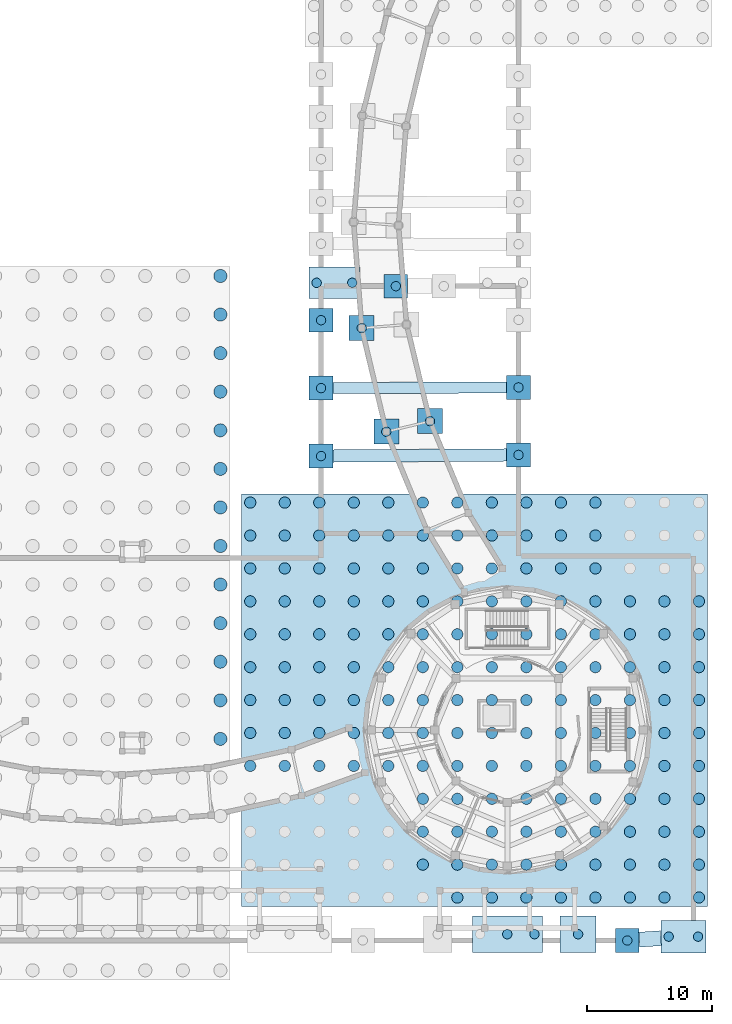
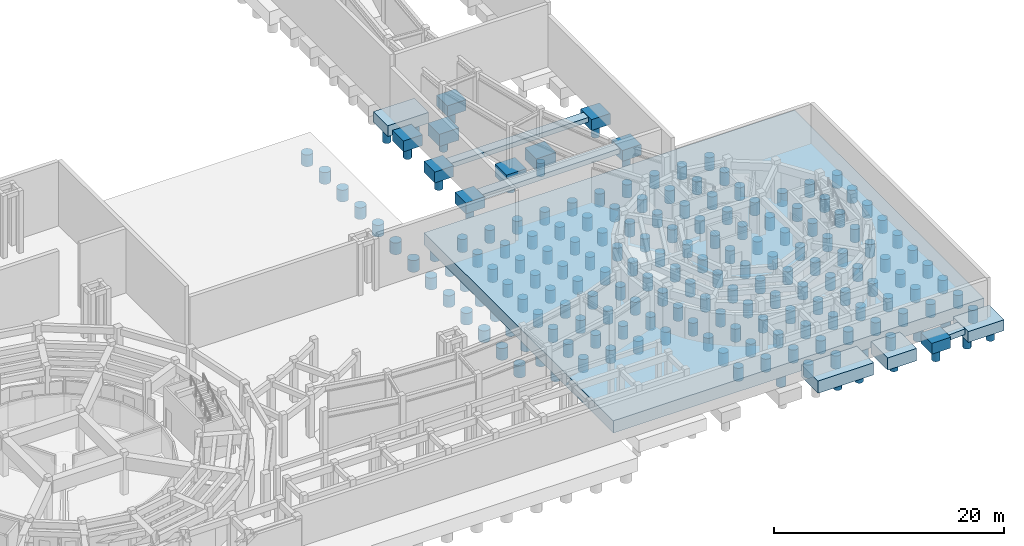
# One storey, part 6 of 57: 182 piles, 18 footings.
"""IFC4 building model written with IfcOpenShell, lengths in metres."""

from ifc_helpers import new_model, si_unit, direction, frame, origin, origin_2d, place, context, subcontext, project, spatial, rectangle, circle, extrude, material, material_profile, profile_set, type_object, element, save


model = new_model("IFC4")

# Units and contexts
model_context = context("Model", 3, precision=1e-05, world=origin(), true_north=direction((0.0, 1.0)))
body_context = subcontext(model_context, "Body", "Model", "MODEL_VIEW")
ifc_project = project(units=[si_unit("LENGTHUNIT", "METRE"), si_unit("AREAUNIT", "SQUARE_METRE"), si_unit("VOLUMEUNIT", "CUBIC_METRE"), si_unit("PLANEANGLEUNIT", "RADIAN"), si_unit("MASSUNIT", "GRAM", prefix="KILO")], contexts=[model_context])

# Site, building, storey
site_placement = place(None, origin())
site = spatial("IfcSite", under=ifc_project, at=site_placement, CompositionType="ELEMENT")
building_placement = place(site_placement, origin())
building = spatial("IfcBuilding", under=site, at=building_placement, Name="Aldenvaro Health Centre", CompositionType="ELEMENT")
storey_placement = place(building_placement, frame((0.0, 0.0, -4.550048828125)))
storey = spatial("IfcBuildingStorey", under=building, at=storey_placement, Name="B1", CompositionType="ELEMENT", Elevation=-4.550048828125)

# Footings
ifc_material = material(Name="Concrete f'c 40 MPa", Category="concrete")
footing_type_1 = type_object("IfcFootingType", Name="FTG-PC-190x190x115", PredefinedType="PILE_CAP", material=ifc_material)
for number, where, z_axis, x_axis, name in (
    (1, (155.39990234375, 40.5, -1.14990234375), (0.0, 0.0, 1.0), (1.0, 0.0, 0.0), "Pile Cap PC-20 #041"),
    (2, (155.39990234375, 45.89990234375, -1.14990234375), (0.0, 0.0, 1.0), (1.0, 0.0, 0.0), "Pile Cap PC-20 #042"),
    (3, (139.60009765625, 40.406005859375, -1.14990234375), (0.0, 0.0, 1.0), (1.0, 0.0, 0.0), "Pile Cap PC-20 #044"),
    (4, (139.60009765625, 45.843994140625, -1.14990234375), (0.0, 0.0, 1.0), (1.0, 0.0, 0.0), "Pile Cap PC-20 #045"),
    (5, (139.60009765625, 51.281005859375, -1.14990234375), (0.0, 0.0, 1.0), (1.0, 0.0, 0.0), "Pile Cap PC-20 #046"),
    (6, (164.10302734375, 1.64990234375, -1.14990234375), (0.0, 0.0, 1.0), (1.0, 0.0, 0.0), "Pile Cap PC-20 #087"),
    (7, (145.5810546875, 54.0, -1.14990234375), (0.0, 0.0, 1.0), (1.0, 0.0, 0.0), "Pile Cap PC-20 #088"),
):
    element("IfcFooting", number, at=place(storey_placement, frame(where, z_axis=z_axis, x_axis=x_axis)), inside=storey, type_object=footing_type_1, Name=name, PredefinedType="PILE_CAP", context=body_context, shape_type="SweptSolid", body=[
        extrude(rectangle(XDim=1.89990234375, YDim=1.89990234375, at=origin_2d()), origin(), (0.0, 0.0, 1.0), 1.14990234375),
    ])
footing_type_2 = type_object("IfcFootingType", Name="FTG-PC-200x200x130", PredefinedType="PILE_CAP", material=ifc_material)
for number, where, z_axis, x_axis, name in (
    (8, (142.85205078125, 50.64599609375, -1.2998046875), (0.0, 0.0, 1.0), (1.0, 0.0, 0.0), "Pile Cap PC-12 #032"),
    (9, (148.320068359375, 43.197021484375, -1.2998046875), (0.0, 0.0, 1.0), (1.0, 0.0, 0.0), "Pile Cap PC-12 #033"),
    (10, (144.820068359375, 42.35693359375, -1.2998046875), (0.0, 0.0, 1.0), (1.0, 0.0, 0.0), "Pile Cap PC-12 #034"),
):
    element("IfcFooting", number, at=place(storey_placement, frame(where, z_axis=z_axis, x_axis=x_axis)), inside=storey, type_object=footing_type_2, Name=name, PredefinedType="PILE_CAP", context=body_context, shape_type="SweptSolid", body=[
        extrude(rectangle(XDim=2.0, YDim=2.0, at=origin_2d()), origin(), (0.0, 0.0, 1.0), 1.300048828125),
    ])
footing_type_3 = type_object("IfcFootingType", Name="FTG-PC-290x290x130", PredefinedType="PILE_CAP", material=ifc_material)
footing_1_placement = place(storey_placement, frame((160.1650390625, 2.14990234375, -1.2998046875), z_axis=(0.0, 0.0, 1.0), x_axis=(1.0, 0.0, 0.0)))
element("IfcFooting", 11, at=footing_1_placement, inside=storey, type_object=footing_type_3, Name="Pile Cap PC-17 #038", PredefinedType="PILE_CAP", context=body_context, shape_type="SweptSolid", body=[
    extrude(rectangle(XDim=2.89990234375, YDim=2.89990234375, at=origin_2d()), origin(), (0.0, 0.0, 1.0), 1.300048828125),
])
footing_type_4 = type_object("IfcFootingType", Name="FTG-PC-360x260x115", PredefinedType="PILE_CAP", material=ifc_material)
footing_2_placement = place(storey_placement, frame((168.587890625, 1.9580078125, -1.14990234375), z_axis=(0.0, 0.0, 1.0), x_axis=(1.0, 0.0, 0.0)))
element("IfcFooting", 12, at=footing_2_placement, inside=storey, type_object=footing_type_4, Name="Pile Cap PC-19 #040", PredefinedType="PILE_CAP", context=body_context, shape_type="SweptSolid", body=[
    extrude(rectangle(XDim=3.60009765625, YDim=2.60009765625, at=origin_2d()), origin(), (0.0, 0.0, 1.0), 1.14990234375),
])
footing_type_5 = type_object("IfcFootingType", Name="FTG-PC-3730x3300x130", PredefinedType="PILE_CAP", material=ifc_material)
footing_3_placement = place(storey_placement, frame((151.883056640625, 20.884033203125, -1.2998046875), z_axis=(0.0, 0.0, 1.0), x_axis=(1.0, 0.0, 0.0)))
element("IfcFooting", 13, at=footing_3_placement, inside=storey, type_object=footing_type_5, Name="Pile Cap PC-07 #008", PredefinedType="PILE_CAP", context=body_context, shape_type="SweptSolid", body=[
    extrude(rectangle(XDim=37.300048828125, YDim=33.0, at=origin_2d()), origin(), (0.0, 0.0, 1.0), 1.300048828125),
])
footing_type_6 = type_object("IfcFootingType", Name="FTG-PC-410x250x115", PredefinedType="PILE_CAP", material=ifc_material)
footing_4_placement = place(storey_placement, frame((140.6708984375, 54.27099609375, -1.14990234375), z_axis=(0.0, 0.0, 1.0), x_axis=(1.0, 0.0, 0.0)))
element("IfcFooting", 14, at=footing_4_placement, inside=storey, type_object=footing_type_6, Name="Pile Cap PC-23 #080", PredefinedType="PILE_CAP", context=body_context, shape_type="SweptSolid", body=[
    extrude(rectangle(XDim=4.10009765625, YDim=2.5, at=origin_2d()), origin(), (0.0, 0.0, 1.0), 1.14990234375),
])
footing_type_7 = type_object("IfcFootingType", Name="FTG-PC-560x290x130", PredefinedType="PILE_CAP", material=ifc_material)
footing_5_placement = place(storey_placement, frame((154.5, 2.14990234375, -1.2998046875), z_axis=(0.0, 0.0, 1.0), x_axis=(1.0, 0.0, 0.0)))
element("IfcFooting", 15, at=footing_5_placement, inside=storey, type_object=footing_type_7, Name="Pile Cap PC-16 #037", PredefinedType="PILE_CAP", context=body_context, shape_type="SweptSolid", body=[
    extrude(rectangle(XDim=5.60009765625, YDim=2.89990234375, at=origin_2d()), origin(), (0.0, 0.0, 1.0), 1.300048828125),
])
ifc_material_profile_1 = material_profile(ifc_material, rectangle(XDim=1.0, YDim=0.550048828125, at=origin_2d()), Name="SF 1000x550", Category="concrete")
ifc_profile_set_1 = profile_set([ifc_material_profile_1], Name="Concrete f'c 40 MPa")
footing_type_8 = type_object("IfcFootingType", Name="FTG-SF-1000x550", PredefinedType="STRIP_FOOTING", material=ifc_profile_set_1)
footing_6_placement = place(storey_placement, frame((140.550048828125, 40.412109375, -0.324951171875), z_axis=(0.999982689686, 0.005883904188, 0.0), x_axis=(-0.005883904188, 0.999982689686, 0.0)))
element("IfcFooting", 16, at=footing_6_placement, inside=storey, type_object=footing_type_8, Name="Stepped Retaining Strip Footing SF-02", PredefinedType="STRIP_FOOTING", context=body_context, shape_type="SweptSolid", body=[
    extrude(rectangle(XDim=1.0, YDim=0.550048828125, at=origin_2d()), origin(), (0.0, 0.0, 1.0), 13.900146484375),
])
ifc_material_profile_2 = material_profile(ifc_material, rectangle(XDim=1.199951171875, YDim=0.60009765625, at=origin_2d()), Name="SF 1200x600", Category="concrete")
ifc_profile_set_2 = profile_set([ifc_material_profile_2], Name="Concrete f'c 40 MPa")
footing_type_9 = type_object("IfcFootingType", Name="FTG-SF-1200x600", PredefinedType="STRIP_FOOTING", material=ifc_profile_set_2)
footing_7_placement = place(storey_placement, frame((165.052978515625, 1.715087890625, -0.349853515625), z_axis=(0.997660467174, 0.068363676307, 0.0), x_axis=(-0.068363676307, 0.997660467174, 0.0)))
element("IfcFooting", 17, at=footing_7_placement, inside=storey, type_object=footing_type_9, Name="Stepped Retaining Strip Footing SF-01", PredefinedType="STRIP_FOOTING", context=body_context, shape_type="SweptSolid", body=[
    extrude(rectangle(XDim=1.199951171875, YDim=0.60009765625, at=origin_2d()), origin(), (0.0, 0.0, 1.0), 1.7392578125),
])
ifc_material_profile_3 = material_profile(ifc_material, rectangle(XDim=0.89990234375, YDim=0.5, at=origin_2d()), Name="SF 900x500", Category="concrete")
ifc_profile_set_3 = profile_set([ifc_material_profile_3], Name="Concrete f'c 40 MPa")
footing_type_10 = type_object("IfcFootingType", Name="FTG-SF-900x500", PredefinedType="STRIP_FOOTING", material=ifc_profile_set_3)
footing_8_placement = place(storey_placement, frame((140.550048828125, 45.846923828125, -0.300048828125), z_axis=(0.999993517685, 0.003600637073, 0.0), x_axis=(-0.003600637073, 0.999993517685, 0.0)))
element("IfcFooting", 18, at=footing_8_placement, inside=storey, type_object=footing_type_10, Name="Stepped Retaining Strip Footing SF-03", PredefinedType="STRIP_FOOTING", context=body_context, shape_type="SweptSolid", body=[
    extrude(rectangle(XDim=0.89990234375, YDim=0.5, at=origin_2d()), origin(), (0.0, 0.0, 1.0), 13.89990234375),
])

# Piles
ifc_material_profile_4 = material_profile(ifc_material, circle(Radius=0.52490234375, at=origin_2d()), Name="PILE D1050", Category="concrete")
ifc_profile_set_4 = profile_set([ifc_material_profile_4], Name="Concrete f'c 40 MPa")
pile_type_1 = type_object("IfcPileType", Name="PILE-D1050", PredefinedType="BORED", material=ifc_profile_set_4)
for number, where, z_axis, x_axis, name in (
    (19, (131.54296875, 17.780029296875, -1.349853515625), (0.0, 0.0, -1.0), (1.0, 0.0, 0.0), "Bored Pile BP-03 #0824"),
    (20, (131.54296875, 20.865966796875, -1.349853515625), (0.0, 0.0, -1.0), (1.0, 0.0, 0.0), "Bored Pile BP-03 #0825"),
    (21, (131.54296875, 23.951904296875, -1.349853515625), (0.0, 0.0, -1.0), (1.0, 0.0, 0.0), "Bored Pile BP-03 #0826"),
    (22, (131.54296875, 27.0380859375, -1.349853515625), (0.0, 0.0, -1.0), (1.0, 0.0, 0.0), "Bored Pile BP-03 #0827"),
    (23, (131.54296875, 30.1240234375, -1.349853515625), (0.0, 0.0, -1.0), (1.0, 0.0, 0.0), "Bored Pile BP-03 #0828"),
    (24, (131.54296875, 33.2099609375, -1.349853515625), (0.0, 0.0, -1.0), (1.0, 0.0, 0.0), "Bored Pile BP-03 #0829"),
    (25, (131.54296875, 36.2958984375, -1.349853515625), (0.0, 0.0, -1.0), (1.0, 0.0, 0.0), "Bored Pile BP-03 #0830"),
    (26, (131.54296875, 39.382080078125, -1.349853515625), (0.0, 0.0, -1.0), (1.0, 0.0, 0.0), "Bored Pile BP-03 #0831"),
    (27, (131.54296875, 42.468994140625, -1.349853515625), (0.0, 0.0, -1.0), (1.0, 0.0, 0.0), "Bored Pile BP-03 #0832"),
    (28, (131.54296875, 45.554931640625, -1.349853515625), (0.0, 0.0, -1.0), (1.0, 0.0, 0.0), "Bored Pile BP-03 #0833"),
    (29, (131.54296875, 48.64111328125, -1.349853515625), (0.0, 0.0, -1.0), (1.0, 0.0, 0.0), "Bored Pile BP-03 #0834"),
    (30, (131.54296875, 51.72705078125, -1.349853515625), (0.0, 0.0, -1.0), (1.0, 0.0, 0.0), "Bored Pile BP-03 #0835"),
    (31, (131.54296875, 54.81298828125, -1.349853515625), (0.0, 0.0, -1.0), (1.0, 0.0, 0.0), "Bored Pile BP-03 #0836"),
):
    element("IfcPile", number, at=place(storey_placement, frame(where, z_axis=z_axis, x_axis=x_axis)), inside=storey, type_object=pile_type_1, Name=name, PredefinedType="BORED", context=body_context, shape_type="SweptSolid", body=[
        extrude(circle(Radius=0.52490234375, at=origin_2d()), origin(), (0.0, 0.0, 1.0), 1.25),
    ])
ifc_material_profile_5 = material_profile(ifc_material, circle(Radius=0.375, at=origin_2d()), Name="PILE D750", Category="concrete")
ifc_profile_set_5 = profile_set([ifc_material_profile_5], Name="Concrete f'c 40 MPa")
pile_type_2 = type_object("IfcPileType", Name="PILE-D750", PredefinedType="BORED", material=ifc_profile_set_5)
for number, where, z_axis, x_axis, name in (
    (32, (142.85205078125, 50.64599609375, -1.199951171875), (0.0, 0.0, -1.0), (1.0, 0.0, 0.0), "Bored Pile BP-01 #1357"),
    (33, (148.320068359375, 43.197021484375, -1.199951171875), (0.0, 0.0, -1.0), (1.0, 0.0, 0.0), "Bored Pile BP-01 #1358"),
    (34, (144.820068359375, 42.35693359375, -1.199951171875), (0.0, 0.0, -1.0), (1.0, 0.0, 0.0), "Bored Pile BP-01 #1359"),
    (35, (154.5, 2.14990234375, -1.199951171875), (0.0, 0.0, -1.0), (1.0, 0.0, 0.0), "Bored Pile BP-01 #1365"),
    (36, (156.675048828125, 2.14990234375, -1.199951171875), (0.0, 0.0, -1.0), (1.0, 0.0, 0.0), "Bored Pile BP-01 #1366"),
    (37, (160.1650390625, 2.14990234375, -1.199951171875), (0.0, 0.0, -1.0), (1.0, 0.0, 0.0), "Bored Pile BP-01 #1367"),
):
    element("IfcPile", number, at=place(storey_placement, frame(where, z_axis=z_axis, x_axis=x_axis)), inside=storey, type_object=pile_type_2, Name=name, PredefinedType="BORED", context=body_context, shape_type="SweptSolid", body=[
        extrude(circle(Radius=0.375, at=origin_2d()), origin(), (0.0, 0.0, 1.0), 1.39990234375),
    ])
for number, where, z_axis, x_axis, name in (
    (38, (167.4130859375, 1.9580078125, -1.050048828125), (0.0, 0.0, -1.0), (1.0, 0.0, 0.0), "Bored Pile BP-01 #1383"),
    (39, (169.762939453125, 1.9580078125, -1.050048828125), (0.0, 0.0, -1.0), (1.0, 0.0, 0.0), "Bored Pile BP-01 #1384"),
    (40, (155.39990234375, 40.5, -1.050048828125), (0.0, 0.0, -1.0), (1.0, 0.0, 0.0), "Bored Pile BP-01 #1385"),
    (41, (155.39990234375, 45.89990234375, -1.050048828125), (0.0, 0.0, -1.0), (1.0, 0.0, 0.0), "Bored Pile BP-01 #1386"),
    (42, (139.60009765625, 40.406005859375, -1.050048828125), (0.0, 0.0, -1.0), (1.0, 0.0, 0.0), "Bored Pile BP-01 #1388"),
    (43, (139.60009765625, 45.843994140625, -1.050048828125), (0.0, 0.0, -1.0), (1.0, 0.0, 0.0), "Bored Pile BP-01 #1389"),
    (44, (139.60009765625, 51.281005859375, -1.050048828125), (0.0, 0.0, -1.0), (1.0, 0.0, 0.0), "Bored Pile BP-01 #1390"),
    (45, (139.24609375, 54.27099609375, -1.050048828125), (0.0, 0.0, -1.0), (1.0, 0.0, 0.0), "Bored Pile BP-01 #1425"),
    (46, (142.095947265625, 54.27099609375, -1.050048828125), (0.0, 0.0, -1.0), (1.0, 0.0, 0.0), "Bored Pile BP-01 #1426"),
    (47, (164.10302734375, 1.64990234375, -1.050048828125), (0.0, 0.0, -1.0), (1.0, 0.0, 0.0), "Bored Pile BP-01 #1433"),
    (48, (145.5810546875, 54.0, -1.050048828125), (0.0, 0.0, -1.0), (1.0, 0.0, 0.0), "Bored Pile BP-01 #1434"),
):
    element("IfcPile", number, at=place(storey_placement, frame(where, z_axis=z_axis, x_axis=x_axis)), inside=storey, type_object=pile_type_2, Name=name, PredefinedType="BORED", context=body_context, shape_type="SweptSolid", body=[
        extrude(circle(Radius=0.375, at=origin_2d()), origin(), (0.0, 0.0, 1.0), 1.550048828125),
    ])
ifc_material_profile_6 = material_profile(ifc_material, circle(Radius=0.449951171875, at=origin_2d()), Name="PILE D900", Category="concrete")
ifc_profile_set_6 = profile_set([ifc_material_profile_6], Name="Concrete f'c 40 MPa")
pile_type_3 = type_object("IfcPileType", Name="PILE-D900", PredefinedType="BORED", material=ifc_profile_set_6)
for number, where, z_axis, x_axis, name in (
    (49, (133.93310546875, 15.616943359375, -1.199951171875), (0.0, 0.0, -1.0), (1.0, 0.0, 0.0), "Bored Pile BP-02 #1133"),
    (50, (133.93310546875, 18.2509765625, -1.199951171875), (0.0, 0.0, -1.0), (1.0, 0.0, 0.0), "Bored Pile BP-02 #1134"),
    (51, (133.93310546875, 20.884033203125, -1.199951171875), (0.0, 0.0, -1.0), (1.0, 0.0, 0.0), "Bored Pile BP-02 #1135"),
    (52, (133.93310546875, 23.51708984375, -1.199951171875), (0.0, 0.0, -1.0), (1.0, 0.0, 0.0), "Bored Pile BP-02 #1136"),
    (53, (133.93310546875, 26.15087890625, -1.199951171875), (0.0, 0.0, -1.0), (1.0, 0.0, 0.0), "Bored Pile BP-02 #1137"),
    (54, (133.93310546875, 28.783935546875, -1.199951171875), (0.0, 0.0, -1.0), (1.0, 0.0, 0.0), "Bored Pile BP-02 #1138"),
    (55, (133.93310546875, 31.4169921875, -1.199951171875), (0.0, 0.0, -1.0), (1.0, 0.0, 0.0), "Bored Pile BP-02 #1139"),
    (56, (133.93310546875, 34.051025390625, -1.199951171875), (0.0, 0.0, -1.0), (1.0, 0.0, 0.0), "Bored Pile BP-02 #1140"),
    (57, (133.93310546875, 36.68408203125, -1.199951171875), (0.0, 0.0, -1.0), (1.0, 0.0, 0.0), "Bored Pile BP-02 #1141"),
    (58, (136.695068359375, 15.616943359375, -1.199951171875), (0.0, 0.0, -1.0), (1.0, 0.0, 0.0), "Bored Pile BP-02 #1146"),
    (59, (136.695068359375, 18.2509765625, -1.199951171875), (0.0, 0.0, -1.0), (1.0, 0.0, 0.0), "Bored Pile BP-02 #1147"),
    (60, (136.695068359375, 20.884033203125, -1.199951171875), (0.0, 0.0, -1.0), (1.0, 0.0, 0.0), "Bored Pile BP-02 #1148"),
    (61, (136.695068359375, 23.51708984375, -1.199951171875), (0.0, 0.0, -1.0), (1.0, 0.0, 0.0), "Bored Pile BP-02 #1149"),
    (62, (136.695068359375, 26.15087890625, -1.199951171875), (0.0, 0.0, -1.0), (1.0, 0.0, 0.0), "Bored Pile BP-02 #1150"),
    (63, (136.695068359375, 28.783935546875, -1.199951171875), (0.0, 0.0, -1.0), (1.0, 0.0, 0.0), "Bored Pile BP-02 #1151"),
    (64, (136.695068359375, 31.4169921875, -1.199951171875), (0.0, 0.0, -1.0), (1.0, 0.0, 0.0), "Bored Pile BP-02 #1152"),
    (65, (136.695068359375, 34.051025390625, -1.199951171875), (0.0, 0.0, -1.0), (1.0, 0.0, 0.0), "Bored Pile BP-02 #1153"),
    (66, (136.695068359375, 36.68408203125, -1.199951171875), (0.0, 0.0, -1.0), (1.0, 0.0, 0.0), "Bored Pile BP-02 #1154"),
    (67, (139.4560546875, 15.616943359375, -1.199951171875), (0.0, 0.0, -1.0), (1.0, 0.0, 0.0), "Bored Pile BP-02 #1159"),
    (68, (139.4560546875, 18.2509765625, -1.199951171875), (0.0, 0.0, -1.0), (1.0, 0.0, 0.0), "Bored Pile BP-02 #1160"),
    (69, (139.4560546875, 20.884033203125, -1.199951171875), (0.0, 0.0, -1.0), (1.0, 0.0, 0.0), "Bored Pile BP-02 #1161"),
    (70, (139.4560546875, 23.51708984375, -1.199951171875), (0.0, 0.0, -1.0), (1.0, 0.0, 0.0), "Bored Pile BP-02 #1162"),
    (71, (139.4560546875, 26.15087890625, -1.199951171875), (0.0, 0.0, -1.0), (1.0, 0.0, 0.0), "Bored Pile BP-02 #1163"),
    (72, (139.4560546875, 28.783935546875, -1.199951171875), (0.0, 0.0, -1.0), (1.0, 0.0, 0.0), "Bored Pile BP-02 #1164"),
    (73, (139.4560546875, 31.4169921875, -1.199951171875), (0.0, 0.0, -1.0), (1.0, 0.0, 0.0), "Bored Pile BP-02 #1165"),
    (74, (139.4560546875, 34.051025390625, -1.199951171875), (0.0, 0.0, -1.0), (1.0, 0.0, 0.0), "Bored Pile BP-02 #1166"),
    (75, (139.4560546875, 36.68408203125, -1.199951171875), (0.0, 0.0, -1.0), (1.0, 0.0, 0.0), "Bored Pile BP-02 #1167"),
    (76, (142.218017578125, 15.616943359375, -1.199951171875), (0.0, 0.0, -1.0), (1.0, 0.0, 0.0), "Bored Pile BP-02 #1172"),
    (77, (142.218017578125, 18.2509765625, -1.199951171875), (0.0, 0.0, -1.0), (1.0, 0.0, 0.0), "Bored Pile BP-02 #1173"),
    (78, (142.218017578125, 20.884033203125, -1.199951171875), (0.0, 0.0, -1.0), (1.0, 0.0, 0.0), "Bored Pile BP-02 #1174"),
    (79, (142.218017578125, 23.51708984375, -1.199951171875), (0.0, 0.0, -1.0), (1.0, 0.0, 0.0), "Bored Pile BP-02 #1175"),
    (80, (142.218017578125, 26.15087890625, -1.199951171875), (0.0, 0.0, -1.0), (1.0, 0.0, 0.0), "Bored Pile BP-02 #1176"),
    (81, (142.218017578125, 28.783935546875, -1.199951171875), (0.0, 0.0, -1.0), (1.0, 0.0, 0.0), "Bored Pile BP-02 #1177"),
    (82, (142.218017578125, 31.4169921875, -1.199951171875), (0.0, 0.0, -1.0), (1.0, 0.0, 0.0), "Bored Pile BP-02 #1178"),
    (83, (142.218017578125, 34.051025390625, -1.199951171875), (0.0, 0.0, -1.0), (1.0, 0.0, 0.0), "Bored Pile BP-02 #1179"),
    (84, (142.218017578125, 36.68408203125, -1.199951171875), (0.0, 0.0, -1.0), (1.0, 0.0, 0.0), "Bored Pile BP-02 #1180"),
    (85, (144.97900390625, 15.616943359375, -1.199951171875), (0.0, 0.0, -1.0), (1.0, 0.0, 0.0), "Bored Pile BP-02 #1185"),
    (86, (144.97900390625, 18.2509765625, -1.199951171875), (0.0, 0.0, -1.0), (1.0, 0.0, 0.0), "Bored Pile BP-02 #1186"),
    (87, (144.97900390625, 20.884033203125, -1.199951171875), (0.0, 0.0, -1.0), (1.0, 0.0, 0.0), "Bored Pile BP-02 #1187"),
    (88, (144.97900390625, 23.51708984375, -1.199951171875), (0.0, 0.0, -1.0), (1.0, 0.0, 0.0), "Bored Pile BP-02 #1188"),
    (89, (144.97900390625, 26.15087890625, -1.199951171875), (0.0, 0.0, -1.0), (1.0, 0.0, 0.0), "Bored Pile BP-02 #1189"),
    (90, (144.97900390625, 28.783935546875, -1.199951171875), (0.0, 0.0, -1.0), (1.0, 0.0, 0.0), "Bored Pile BP-02 #1190"),
    (91, (144.97900390625, 31.4169921875, -1.199951171875), (0.0, 0.0, -1.0), (1.0, 0.0, 0.0), "Bored Pile BP-02 #1191"),
    (92, (144.97900390625, 34.051025390625, -1.199951171875), (0.0, 0.0, -1.0), (1.0, 0.0, 0.0), "Bored Pile BP-02 #1192"),
    (93, (144.97900390625, 36.68408203125, -1.199951171875), (0.0, 0.0, -1.0), (1.0, 0.0, 0.0), "Bored Pile BP-02 #1193"),
    (94, (147.740966796875, 7.717041015625, -1.199951171875), (0.0, 0.0, -1.0), (1.0, 0.0, 0.0), "Bored Pile BP-02 #1195"),
    (95, (147.740966796875, 10.35107421875, -1.199951171875), (0.0, 0.0, -1.0), (1.0, 0.0, 0.0), "Bored Pile BP-02 #1196"),
    (96, (147.740966796875, 12.98388671875, -1.199951171875), (0.0, 0.0, -1.0), (1.0, 0.0, 0.0), "Bored Pile BP-02 #1197"),
    (97, (147.740966796875, 15.616943359375, -1.199951171875), (0.0, 0.0, -1.0), (1.0, 0.0, 0.0), "Bored Pile BP-02 #1198"),
    (98, (147.740966796875, 18.2509765625, -1.199951171875), (0.0, 0.0, -1.0), (1.0, 0.0, 0.0), "Bored Pile BP-02 #1199"),
    (99, (147.740966796875, 20.884033203125, -1.199951171875), (0.0, 0.0, -1.0), (1.0, 0.0, 0.0), "Bored Pile BP-02 #1200"),
    (100, (147.740966796875, 23.51708984375, -1.199951171875), (0.0, 0.0, -1.0), (1.0, 0.0, 0.0), "Bored Pile BP-02 #1201"),
    (101, (147.740966796875, 26.15087890625, -1.199951171875), (0.0, 0.0, -1.0), (1.0, 0.0, 0.0), "Bored Pile BP-02 #1202"),
    (102, (147.740966796875, 28.783935546875, -1.199951171875), (0.0, 0.0, -1.0), (1.0, 0.0, 0.0), "Bored Pile BP-02 #1203"),
    (103, (147.740966796875, 31.4169921875, -1.199951171875), (0.0, 0.0, -1.0), (1.0, 0.0, 0.0), "Bored Pile BP-02 #1204"),
    (104, (147.740966796875, 34.051025390625, -1.199951171875), (0.0, 0.0, -1.0), (1.0, 0.0, 0.0), "Bored Pile BP-02 #1205"),
    (105, (147.740966796875, 36.68408203125, -1.199951171875), (0.0, 0.0, -1.0), (1.0, 0.0, 0.0), "Bored Pile BP-02 #1206"),
    (106, (150.501953125, 5.083984375, -1.199951171875), (0.0, 0.0, -1.0), (1.0, 0.0, 0.0), "Bored Pile BP-02 #1207"),
    (107, (150.501953125, 7.717041015625, -1.199951171875), (0.0, 0.0, -1.0), (1.0, 0.0, 0.0), "Bored Pile BP-02 #1208"),
    (108, (150.501953125, 10.35107421875, -1.199951171875), (0.0, 0.0, -1.0), (1.0, 0.0, 0.0), "Bored Pile BP-02 #1209"),
    (109, (150.501953125, 12.98388671875, -1.199951171875), (0.0, 0.0, -1.0), (1.0, 0.0, 0.0), "Bored Pile BP-02 #1210"),
    (110, (150.501953125, 15.616943359375, -1.199951171875), (0.0, 0.0, -1.0), (1.0, 0.0, 0.0), "Bored Pile BP-02 #1211"),
    (111, (150.501953125, 18.2509765625, -1.199951171875), (0.0, 0.0, -1.0), (1.0, 0.0, 0.0), "Bored Pile BP-02 #1212"),
    (112, (150.501953125, 20.884033203125, -1.199951171875), (0.0, 0.0, -1.0), (1.0, 0.0, 0.0), "Bored Pile BP-02 #1213"),
    (113, (150.501953125, 23.51708984375, -1.199951171875), (0.0, 0.0, -1.0), (1.0, 0.0, 0.0), "Bored Pile BP-02 #1214"),
    (114, (150.501953125, 26.15087890625, -1.199951171875), (0.0, 0.0, -1.0), (1.0, 0.0, 0.0), "Bored Pile BP-02 #1215"),
    (115, (150.501953125, 28.783935546875, -1.199951171875), (0.0, 0.0, -1.0), (1.0, 0.0, 0.0), "Bored Pile BP-02 #1216"),
    (116, (150.501953125, 31.4169921875, -1.199951171875), (0.0, 0.0, -1.0), (1.0, 0.0, 0.0), "Bored Pile BP-02 #1217"),
    (117, (150.501953125, 34.051025390625, -1.199951171875), (0.0, 0.0, -1.0), (1.0, 0.0, 0.0), "Bored Pile BP-02 #1218"),
    (118, (150.501953125, 36.68408203125, -1.199951171875), (0.0, 0.0, -1.0), (1.0, 0.0, 0.0), "Bored Pile BP-02 #1219"),
    (119, (153.263916015625, 5.083984375, -1.199951171875), (0.0, 0.0, -1.0), (1.0, 0.0, 0.0), "Bored Pile BP-02 #1220"),
    (120, (153.263916015625, 7.717041015625, -1.199951171875), (0.0, 0.0, -1.0), (1.0, 0.0, 0.0), "Bored Pile BP-02 #1221"),
    (121, (153.263916015625, 10.35107421875, -1.199951171875), (0.0, 0.0, -1.0), (1.0, 0.0, 0.0), "Bored Pile BP-02 #1222"),
    (122, (153.263916015625, 12.98388671875, -1.199951171875), (0.0, 0.0, -1.0), (1.0, 0.0, 0.0), "Bored Pile BP-02 #1223"),
    (123, (153.263916015625, 15.616943359375, -1.199951171875), (0.0, 0.0, -1.0), (1.0, 0.0, 0.0), "Bored Pile BP-02 #1224"),
    (124, (153.263916015625, 18.2509765625, -1.199951171875), (0.0, 0.0, -1.0), (1.0, 0.0, 0.0), "Bored Pile BP-02 #1225"),
    (125, (153.263916015625, 20.884033203125, -1.199951171875), (0.0, 0.0, -1.0), (1.0, 0.0, 0.0), "Bored Pile BP-02 #1226"),
    (126, (153.263916015625, 23.51708984375, -1.199951171875), (0.0, 0.0, -1.0), (1.0, 0.0, 0.0), "Bored Pile BP-02 #1227"),
    (127, (153.263916015625, 26.15087890625, -1.199951171875), (0.0, 0.0, -1.0), (1.0, 0.0, 0.0), "Bored Pile BP-02 #1228"),
    (128, (153.263916015625, 28.783935546875, -1.199951171875), (0.0, 0.0, -1.0), (1.0, 0.0, 0.0), "Bored Pile BP-02 #1229"),
    (129, (153.263916015625, 31.4169921875, -1.199951171875), (0.0, 0.0, -1.0), (1.0, 0.0, 0.0), "Bored Pile BP-02 #1230"),
    (130, (153.263916015625, 34.051025390625, -1.199951171875), (0.0, 0.0, -1.0), (1.0, 0.0, 0.0), "Bored Pile BP-02 #1231"),
    (131, (153.263916015625, 36.68408203125, -1.199951171875), (0.0, 0.0, -1.0), (1.0, 0.0, 0.0), "Bored Pile BP-02 #1232"),
    (132, (156.02490234375, 5.083984375, -1.199951171875), (0.0, 0.0, -1.0), (1.0, 0.0, 0.0), "Bored Pile BP-02 #1233"),
    (133, (156.02490234375, 7.717041015625, -1.199951171875), (0.0, 0.0, -1.0), (1.0, 0.0, 0.0), "Bored Pile BP-02 #1234"),
    (134, (156.02490234375, 10.35107421875, -1.199951171875), (0.0, 0.0, -1.0), (1.0, 0.0, 0.0), "Bored Pile BP-02 #1235"),
    (135, (156.02490234375, 12.98388671875, -1.199951171875), (0.0, 0.0, -1.0), (1.0, 0.0, 0.0), "Bored Pile BP-02 #1236"),
    (136, (156.02490234375, 15.616943359375, -1.199951171875), (0.0, 0.0, -1.0), (1.0, 0.0, 0.0), "Bored Pile BP-02 #1237"),
    (137, (156.02490234375, 18.2509765625, -1.199951171875), (0.0, 0.0, -1.0), (1.0, 0.0, 0.0), "Bored Pile BP-02 #1238"),
    (138, (156.02490234375, 20.884033203125, -1.199951171875), (0.0, 0.0, -1.0), (1.0, 0.0, 0.0), "Bored Pile BP-02 #1239"),
    (139, (156.02490234375, 23.51708984375, -1.199951171875), (0.0, 0.0, -1.0), (1.0, 0.0, 0.0), "Bored Pile BP-02 #1240"),
    (140, (156.02490234375, 26.15087890625, -1.199951171875), (0.0, 0.0, -1.0), (1.0, 0.0, 0.0), "Bored Pile BP-02 #1241"),
    (141, (156.02490234375, 28.783935546875, -1.199951171875), (0.0, 0.0, -1.0), (1.0, 0.0, 0.0), "Bored Pile BP-02 #1242"),
    (142, (156.02490234375, 31.4169921875, -1.199951171875), (0.0, 0.0, -1.0), (1.0, 0.0, 0.0), "Bored Pile BP-02 #1243"),
    (143, (156.02490234375, 34.051025390625, -1.199951171875), (0.0, 0.0, -1.0), (1.0, 0.0, 0.0), "Bored Pile BP-02 #1244"),
    (144, (156.02490234375, 36.68408203125, -1.199951171875), (0.0, 0.0, -1.0), (1.0, 0.0, 0.0), "Bored Pile BP-02 #1245"),
    (145, (158.787109375, 5.083984375, -1.199951171875), (0.0, 0.0, -1.0), (1.0, 0.0, 0.0), "Bored Pile BP-02 #1246"),
    (146, (158.787109375, 7.717041015625, -1.199951171875), (0.0, 0.0, -1.0), (1.0, 0.0, 0.0), "Bored Pile BP-02 #1247"),
    (147, (158.787109375, 10.35107421875, -1.199951171875), (0.0, 0.0, -1.0), (1.0, 0.0, 0.0), "Bored Pile BP-02 #1248"),
    (148, (158.787109375, 12.98388671875, -1.199951171875), (0.0, 0.0, -1.0), (1.0, 0.0, 0.0), "Bored Pile BP-02 #1249"),
    (149, (158.787109375, 15.616943359375, -1.199951171875), (0.0, 0.0, -1.0), (1.0, 0.0, 0.0), "Bored Pile BP-02 #1250"),
    (150, (158.787109375, 18.2509765625, -1.199951171875), (0.0, 0.0, -1.0), (1.0, 0.0, 0.0), "Bored Pile BP-02 #1251"),
    (151, (158.787109375, 20.884033203125, -1.199951171875), (0.0, 0.0, -1.0), (1.0, 0.0, 0.0), "Bored Pile BP-02 #1252"),
    (152, (158.787109375, 23.51708984375, -1.199951171875), (0.0, 0.0, -1.0), (1.0, 0.0, 0.0), "Bored Pile BP-02 #1253"),
    (153, (158.787109375, 26.15087890625, -1.199951171875), (0.0, 0.0, -1.0), (1.0, 0.0, 0.0), "Bored Pile BP-02 #1254"),
    (154, (158.787109375, 28.783935546875, -1.199951171875), (0.0, 0.0, -1.0), (1.0, 0.0, 0.0), "Bored Pile BP-02 #1255"),
    (155, (158.787109375, 31.4169921875, -1.199951171875), (0.0, 0.0, -1.0), (1.0, 0.0, 0.0), "Bored Pile BP-02 #1256"),
    (156, (158.787109375, 34.051025390625, -1.199951171875), (0.0, 0.0, -1.0), (1.0, 0.0, 0.0), "Bored Pile BP-02 #1257"),
    (157, (158.787109375, 36.68408203125, -1.199951171875), (0.0, 0.0, -1.0), (1.0, 0.0, 0.0), "Bored Pile BP-02 #1258"),
    (158, (161.548095703125, 5.083984375, -1.199951171875), (0.0, 0.0, -1.0), (1.0, 0.0, 0.0), "Bored Pile BP-02 #1259"),
    (159, (161.548095703125, 7.717041015625, -1.199951171875), (0.0, 0.0, -1.0), (1.0, 0.0, 0.0), "Bored Pile BP-02 #1260"),
    (160, (161.548095703125, 10.35107421875, -1.199951171875), (0.0, 0.0, -1.0), (1.0, 0.0, 0.0), "Bored Pile BP-02 #1261"),
    (161, (161.548095703125, 12.98388671875, -1.199951171875), (0.0, 0.0, -1.0), (1.0, 0.0, 0.0), "Bored Pile BP-02 #1262"),
    (162, (161.548095703125, 15.616943359375, -1.199951171875), (0.0, 0.0, -1.0), (1.0, 0.0, 0.0), "Bored Pile BP-02 #1263"),
    (163, (161.548095703125, 18.2509765625, -1.199951171875), (0.0, 0.0, -1.0), (1.0, 0.0, 0.0), "Bored Pile BP-02 #1264"),
    (164, (161.548095703125, 20.884033203125, -1.199951171875), (0.0, 0.0, -1.0), (1.0, 0.0, 0.0), "Bored Pile BP-02 #1265"),
    (165, (161.548095703125, 23.51708984375, -1.199951171875), (0.0, 0.0, -1.0), (1.0, 0.0, 0.0), "Bored Pile BP-02 #1266"),
    (166, (161.548095703125, 26.15087890625, -1.199951171875), (0.0, 0.0, -1.0), (1.0, 0.0, 0.0), "Bored Pile BP-02 #1267"),
    (167, (161.548095703125, 28.783935546875, -1.199951171875), (0.0, 0.0, -1.0), (1.0, 0.0, 0.0), "Bored Pile BP-02 #1268"),
    (168, (161.548095703125, 31.4169921875, -1.199951171875), (0.0, 0.0, -1.0), (1.0, 0.0, 0.0), "Bored Pile BP-02 #1269"),
    (169, (161.548095703125, 34.051025390625, -1.199951171875), (0.0, 0.0, -1.0), (1.0, 0.0, 0.0), "Bored Pile BP-02 #1270"),
    (170, (161.548095703125, 36.68408203125, -1.199951171875), (0.0, 0.0, -1.0), (1.0, 0.0, 0.0), "Bored Pile BP-02 #1271"),
    (171, (164.31005859375, 5.083984375, -1.199951171875), (0.0, 0.0, -1.0), (1.0, 0.0, 0.0), "Bored Pile BP-02 #1272"),
    (172, (164.31005859375, 7.717041015625, -1.199951171875), (0.0, 0.0, -1.0), (1.0, 0.0, 0.0), "Bored Pile BP-02 #1273"),
    (173, (164.31005859375, 10.35107421875, -1.199951171875), (0.0, 0.0, -1.0), (1.0, 0.0, 0.0), "Bored Pile BP-02 #1274"),
    (174, (164.31005859375, 12.98388671875, -1.199951171875), (0.0, 0.0, -1.0), (1.0, 0.0, 0.0), "Bored Pile BP-02 #1275"),
    (175, (164.31005859375, 15.616943359375, -1.199951171875), (0.0, 0.0, -1.0), (1.0, 0.0, 0.0), "Bored Pile BP-02 #1276"),
    (176, (164.31005859375, 18.2509765625, -1.199951171875), (0.0, 0.0, -1.0), (1.0, 0.0, 0.0), "Bored Pile BP-02 #1277"),
    (177, (164.31005859375, 20.884033203125, -1.199951171875), (0.0, 0.0, -1.0), (1.0, 0.0, 0.0), "Bored Pile BP-02 #1278"),
    (178, (164.31005859375, 23.51708984375, -1.199951171875), (0.0, 0.0, -1.0), (1.0, 0.0, 0.0), "Bored Pile BP-02 #1279"),
    (179, (164.31005859375, 26.15087890625, -1.199951171875), (0.0, 0.0, -1.0), (1.0, 0.0, 0.0), "Bored Pile BP-02 #1280"),
    (180, (164.31005859375, 28.783935546875, -1.199951171875), (0.0, 0.0, -1.0), (1.0, 0.0, 0.0), "Bored Pile BP-02 #1281"),
    (181, (167.071044921875, 5.083984375, -1.199951171875), (0.0, 0.0, -1.0), (1.0, 0.0, 0.0), "Bored Pile BP-02 #1285"),
    (182, (167.071044921875, 7.717041015625, -1.199951171875), (0.0, 0.0, -1.0), (1.0, 0.0, 0.0), "Bored Pile BP-02 #1286"),
    (183, (167.071044921875, 10.35107421875, -1.199951171875), (0.0, 0.0, -1.0), (1.0, 0.0, 0.0), "Bored Pile BP-02 #1287"),
    (184, (167.071044921875, 12.98388671875, -1.199951171875), (0.0, 0.0, -1.0), (1.0, 0.0, 0.0), "Bored Pile BP-02 #1288"),
    (185, (167.071044921875, 15.616943359375, -1.199951171875), (0.0, 0.0, -1.0), (1.0, 0.0, 0.0), "Bored Pile BP-02 #1289"),
    (186, (167.071044921875, 18.2509765625, -1.199951171875), (0.0, 0.0, -1.0), (1.0, 0.0, 0.0), "Bored Pile BP-02 #1290"),
    (187, (167.071044921875, 20.884033203125, -1.199951171875), (0.0, 0.0, -1.0), (1.0, 0.0, 0.0), "Bored Pile BP-02 #1291"),
    (188, (167.071044921875, 23.51708984375, -1.199951171875), (0.0, 0.0, -1.0), (1.0, 0.0, 0.0), "Bored Pile BP-02 #1292"),
    (189, (167.071044921875, 26.15087890625, -1.199951171875), (0.0, 0.0, -1.0), (1.0, 0.0, 0.0), "Bored Pile BP-02 #1293"),
    (190, (167.071044921875, 28.783935546875, -1.199951171875), (0.0, 0.0, -1.0), (1.0, 0.0, 0.0), "Bored Pile BP-02 #1294"),
    (191, (169.8330078125, 5.083984375, -1.199951171875), (0.0, 0.0, -1.0), (1.0, 0.0, 0.0), "Bored Pile BP-02 #1298"),
    (192, (169.8330078125, 7.717041015625, -1.199951171875), (0.0, 0.0, -1.0), (1.0, 0.0, 0.0), "Bored Pile BP-02 #1299"),
    (193, (169.8330078125, 10.35107421875, -1.199951171875), (0.0, 0.0, -1.0), (1.0, 0.0, 0.0), "Bored Pile BP-02 #1300"),
    (194, (169.8330078125, 12.98388671875, -1.199951171875), (0.0, 0.0, -1.0), (1.0, 0.0, 0.0), "Bored Pile BP-02 #1301"),
    (195, (169.8330078125, 15.616943359375, -1.199951171875), (0.0, 0.0, -1.0), (1.0, 0.0, 0.0), "Bored Pile BP-02 #1302"),
    (196, (169.8330078125, 18.2509765625, -1.199951171875), (0.0, 0.0, -1.0), (1.0, 0.0, 0.0), "Bored Pile BP-02 #1303"),
    (197, (169.8330078125, 20.884033203125, -1.199951171875), (0.0, 0.0, -1.0), (1.0, 0.0, 0.0), "Bored Pile BP-02 #1304"),
    (198, (169.8330078125, 23.51708984375, -1.199951171875), (0.0, 0.0, -1.0), (1.0, 0.0, 0.0), "Bored Pile BP-02 #1305"),
    (199, (169.8330078125, 26.15087890625, -1.199951171875), (0.0, 0.0, -1.0), (1.0, 0.0, 0.0), "Bored Pile BP-02 #1306"),
    (200, (169.8330078125, 28.783935546875, -1.199951171875), (0.0, 0.0, -1.0), (1.0, 0.0, 0.0), "Bored Pile BP-02 #1307"),
):
    element("IfcPile", number, at=place(storey_placement, frame(where, z_axis=z_axis, x_axis=x_axis)), inside=storey, type_object=pile_type_3, Name=name, PredefinedType="BORED", context=body_context, shape_type="SweptSolid", body=[
        extrude(circle(Radius=0.449951171875, at=origin_2d()), origin(), (0.0, 0.0, 1.0), 1.39990234375),
    ])

save(model, "model.ifc")
